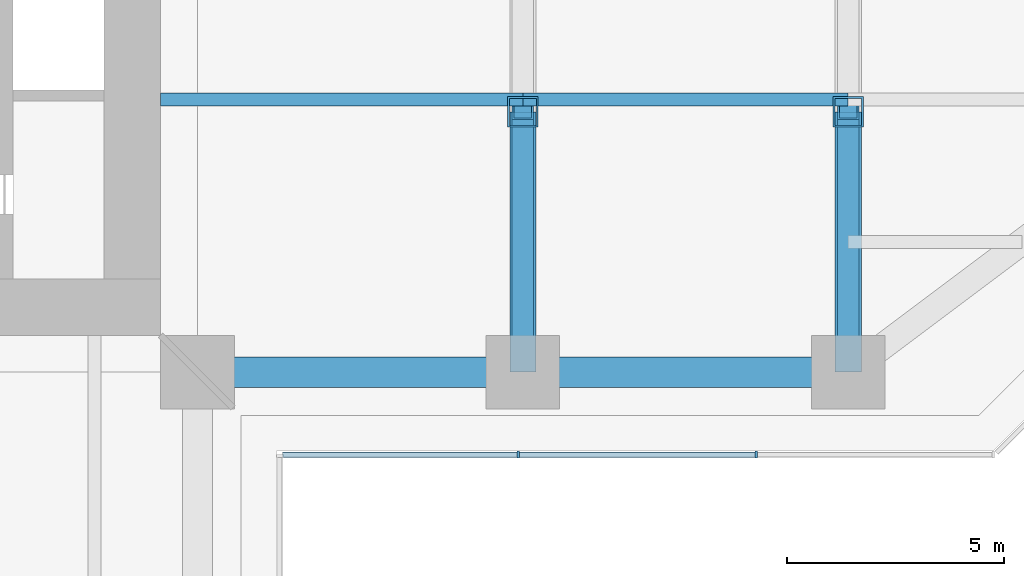
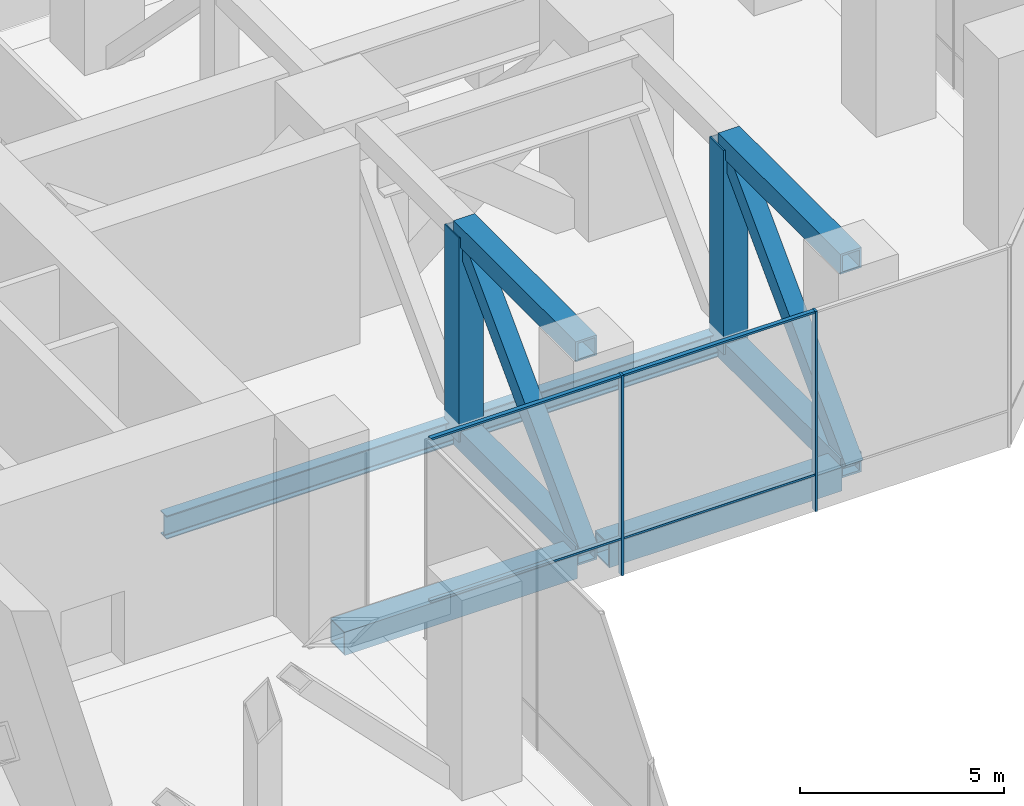
# One storey, part 5 of 19: 14 members, 4 beams, 1 element without a shape of its own.
"""IFC4 building model written with IfcOpenShell, lengths in metres."""

from ifc_helpers import new_model, si_unit, direction, frame, origin, origin_2d, place, context, subcontext, project, spatial, rectangle, hollow_rectangle, i_section, extrude, material, material_profile, profile_set, type_object, element, aggregate, save


model = new_model("IFC4")

# Units and contexts
model_context = context("Model", 3, precision=1e-05, world=origin(), true_north=direction((0.0, 1.0)))
body_context = subcontext(model_context, "Body", "Model", "MODEL_VIEW")
ifc_project = project(units=[si_unit("LENGTHUNIT", "METRE"), si_unit("AREAUNIT", "SQUARE_METRE"), si_unit("VOLUMEUNIT", "CUBIC_METRE"), si_unit("PLANEANGLEUNIT", "RADIAN"), si_unit("MASSUNIT", "GRAM", prefix="KILO")], contexts=[model_context])

# Site, building, storey
site_placement = place(None, origin())
site = spatial("IfcSite", under=ifc_project, at=site_placement, CompositionType="ELEMENT")
building_placement = place(site_placement, origin())
building = spatial("IfcBuilding", under=site, at=building_placement, Name="Mizan Broadcast Tower", CompositionType="ELEMENT")
storey_placement = place(building_placement, frame((0.0, 0.0, 37.5)))
storey = spatial("IfcBuildingStorey", under=building, at=storey_placement, Name="L06", CompositionType="ELEMENT", Elevation=37.5)

# Members
ifc_material_1 = material(Name="Steel S460", Category="steel")
ifc_material_profile_1 = material_profile(ifc_material_1, hollow_rectangle(XDim=0.60009765625, YDim=0.60009765625, WallThickness=0.06005859375, at=origin_2d()), Name="BOX 600x600x60")
ifc_profile_set_1 = profile_set([ifc_material_profile_1], Name="Steel S460")
member_type_1 = type_object("IfcMemberType", Name="BELT TRUSS BT1 CHORD BOX 600x600x60", PredefinedType="CHORD", material=ifc_profile_set_1)
for number, where, z_axis, x_axis, name in (
    (1, (19.5, -12.0, -0.550048828125), (0.0, 1.0, 0.0), (-1.0, 0.0, 0.0), "Belt truss BT1-E19 bottom chord 1"),
    (2, (19.5, -12.0, 5.570068359375), (0.0, 1.0, 0.0), (-1.0, 0.0, 0.0), "Belt truss BT1-E19 top chord 1"),
    (3, (27.0, -12.0, -0.550048828125), (0.0, 1.0, 0.0), (-1.0, 0.0, 0.0), "Belt truss BT1-E27 bottom chord 1"),
    (4, (27.0, -12.0, 5.570068359375), (0.0, 1.0, 0.0), (-1.0, 0.0, 0.0), "Belt truss BT1-E27 top chord 1"),
):
    element("IfcMember", number, at=place(storey_placement, frame(where, z_axis=z_axis, x_axis=x_axis)), inside=storey, type_object=member_type_1, Name=name, PredefinedType="CHORD", context=body_context, shape_type="SweptSolid", body=[
        extrude(hollow_rectangle(XDim=0.60009765625, YDim=0.60009765625, WallThickness=0.06005859375, at=origin_2d()), origin(), (0.0, 0.0, 1.0), 6.0),
    ])
ifc_material_2 = material(Name="Steel S460", Category="steel")
ifc_material_profile_2 = material_profile(ifc_material_2, hollow_rectangle(XDim=0.5, YDim=0.5, WallThickness=0.050048828125, at=origin_2d()), Name="BOX 500x500x50")
ifc_profile_set_2 = profile_set([ifc_material_profile_2], Name="Steel S460")
member_type_2 = type_object("IfcMemberType", Name="BELT TRUSS BT1 DIAGONAL BOX 500x500x50", PredefinedType="BRACE", material=ifc_profile_set_2)
for number, where, z_axis, x_axis, name in (
    (5, (19.5, -12.0, -0.550048828125), (0.0, 0.700064575666, 0.714079540316), (-1.0, 0.0, 0.0), "Belt truss BT1-E19 diagonal 1"),
    (6, (27.0, -12.0, -0.550048828125), (0.0, 0.700064575666, 0.714079540316), (-1.0, 0.0, 0.0), "Belt truss BT1-E27 diagonal 1"),
):
    element("IfcMember", number, at=place(storey_placement, frame(where, z_axis=z_axis, x_axis=x_axis)), inside=storey, type_object=member_type_2, Name=name, PredefinedType="BRACE", context=body_context, shape_type="SweptSolid", body=[
        extrude(hollow_rectangle(XDim=0.5, YDim=0.5, WallThickness=0.050048828125, at=origin_2d()), origin(), (0.0, 0.0, 1.0), 8.570556640625),
    ])
ifc_material_3 = material(Name="Steel S460", Category="steel")
ifc_material_profile_3 = material_profile(ifc_material_3, hollow_rectangle(XDim=0.699951171875, YDim=0.699951171875, WallThickness=0.0400390625, at=origin_2d()), Name="BOX 700x700x40")
ifc_profile_set_3 = profile_set([ifc_material_profile_3], Name="Steel S460")
member_type_3 = type_object("IfcMemberType", Name="BELT TRUSS BT1 POST BOX 700x700x40", PredefinedType="POST", material=ifc_profile_set_3)
for number, where, z_axis, x_axis, name in (
    (7, (19.5, -6.0, -0.550048828125), (0.0, 0.0, 1.0), (1.0, 0.0, 0.0), "Belt truss BT1-E19 post 1"),
    (8, (27.0, -6.0, -0.550048828125), (0.0, 0.0, 1.0), (1.0, 0.0, 0.0), "Belt truss BT1-E27 post 1"),
):
    element("IfcMember", number, at=place(storey_placement, frame(where, z_axis=z_axis, x_axis=x_axis)), inside=storey, type_object=member_type_3, Name=name, PredefinedType="POST", context=body_context, shape_type="SweptSolid", body=[
        extrude(hollow_rectangle(XDim=0.699951171875, YDim=0.699951171875, WallThickness=0.0400390625, at=origin_2d()), origin(), (0.0, 0.0, 1.0), 6.1201171875),
    ])

# Beams
ifc_material_4 = material(Name="Steel S355", Category="steel")
ifc_material_profile_4 = material_profile(ifc_material_4, hollow_rectangle(XDim=0.699951171875, YDim=0.699951171875, WallThickness=0.0400390625, at=origin_2d()), Name="BOX 700x700x40")
ifc_profile_set_4 = profile_set([ifc_material_profile_4], Name="Steel S355")
beam_type_1 = type_object("IfcBeamType", Name="EDGE BEAM BOX 700x700x40", PredefinedType="SPANDREL", material=ifc_profile_set_4)
for number, where, z_axis, x_axis, name in (
    (9, (12.449951171875, -12.0, -0.60009765625), (1.0, 0.0, 0.0), (0.0, 1.0, 0.0), "Edge beam BOX 700x700x40 L06 east arm"),
    (10, (19.949951171875, -12.0, -0.60009765625), (1.0, 0.0, 0.0), (0.0, 1.0, 0.0), "Edge beam BOX 700x700x40 L06 east arm"),
):
    element("IfcBeam", number, at=place(storey_placement, frame(where, z_axis=z_axis, x_axis=x_axis)), inside=storey, type_object=beam_type_1, Name=name, PredefinedType="SPANDREL", context=body_context, shape_type="SweptSolid", body=[
        extrude(hollow_rectangle(XDim=0.699951171875, YDim=0.699951171875, WallThickness=0.0400390625, at=origin_2d()), origin(), (0.0, 0.0, 1.0), 6.60009765625),
    ])

# Curtain wall, members
ifc_material_5 = material(Name="Aluminium framed glazing", Category="aluminium")
curtain_wall_type = type_object("IfcCurtainWallType", Name="PLANT LOUVRE", PredefinedType="USERDEFINED", material=ifc_material_5)
curtain_wall_placement = place(storey_placement, origin())
curtain_wall = element("IfcCurtainWall", 11, at=curtain_wall_placement, inside=storey, type_object=curtain_wall_type, Name="Plant louvre L06 E side", ObjectType="PLANT LOUVRE", PredefinedType="USERDEFINED")
ifc_material_6 = material(Name="Aluminium, pale anodised", Category="aluminium")
ifc_material_profile_5 = material_profile(ifc_material_6, rectangle(XDim=0.159912109375, YDim=0.06005859375, at=origin_2d()), Name="MULLION 160x60")
ifc_profile_set_5 = profile_set([ifc_material_profile_5], Name="Aluminium, pale anodised")
member_type_4 = type_object("IfcMemberType", Name="INNER SKIN MULLION 60x160", PredefinedType="MULLION", material=ifc_profile_set_5)
member_1_placement = place(storey_placement, frame((19.390869140625, -13.89990234375, 0.0), z_axis=(0.0, 0.0, 1.0), x_axis=(0.0, 1.0, 0.0)))
member_1 = element("IfcMember", 12, at=member_1_placement, type_object=member_type_4, Name="Plant louvre L06 E side mullion 2", PredefinedType="MULLION", context=body_context, shape_type="SweptSolid", body=[
    extrude(rectangle(XDim=0.159912109375, YDim=0.06005859375, at=origin_2d()), origin(), (0.0, 0.0, 1.0), 6.0),
])
member_2_placement = place(storey_placement, frame((24.8818359375, -13.89990234375, 0.0), z_axis=(0.0, 0.0, 1.0), x_axis=(0.0, 1.0, 0.0)))
member_2 = element("IfcMember", 13, at=member_2_placement, type_object=member_type_4, Name="Plant louvre L06 E side mullion 3", PredefinedType="MULLION", context=body_context, shape_type="SweptSolid", body=[
    extrude(rectangle(XDim=0.159912109375, YDim=0.06005859375, at=origin_2d()), origin(), (0.0, 0.0, 1.0), 6.0),
])
ifc_material_7 = material(Name="Aluminium, pale anodised", Category="aluminium")
ifc_material_profile_6 = material_profile(ifc_material_7, rectangle(XDim=0.1201171875, YDim=0.06005859375, at=origin_2d()), Name="TRANSOM 120x60")
ifc_profile_set_6 = profile_set([ifc_material_profile_6], Name="Aluminium, pale anodised")
member_type_5 = type_object("IfcMemberType", Name="INNER SKIN TRANSOM 60x120", PredefinedType="USERDEFINED", material=ifc_profile_set_6)
member_3_placement = place(storey_placement, frame((13.9599609375, -13.89990234375, 1.10009765625), z_axis=(1.0, 0.0, 0.0), x_axis=(0.0, 1.0, 0.0)))
member_3 = element("IfcMember", 14, at=member_3_placement, type_object=member_type_5, Name="Plant louvre L06 E side transom 1.1", ObjectType="TRANSOM", PredefinedType="USERDEFINED", context=body_context, shape_type="SweptSolid", body=[
    extrude(rectangle(XDim=0.1201171875, YDim=0.06005859375, at=origin_2d()), origin(), (0.0, 0.0, 1.0), 5.40087890625),
])
member_4_placement = place(storey_placement, frame((13.9599609375, -13.89990234375, 5.969970703125), z_axis=(1.0, 0.0, 0.0), x_axis=(0.0, 1.0, 0.0)))
member_4 = element("IfcMember", 15, at=member_4_placement, type_object=member_type_5, Name="Plant louvre L06 E side transom 1.2", ObjectType="TRANSOM", PredefinedType="USERDEFINED", context=body_context, shape_type="SweptSolid", body=[
    extrude(rectangle(XDim=0.1201171875, YDim=0.06005859375, at=origin_2d()), origin(), (0.0, 0.0, 1.0), 5.40087890625),
])
member_5_placement = place(storey_placement, frame((19.4208984375, -13.89990234375, 1.10009765625), z_axis=(1.0, 0.0, 0.0), x_axis=(0.0, 1.0, 0.0)))
member_5 = element("IfcMember", 16, at=member_5_placement, type_object=member_type_5, Name="Plant louvre L06 E side transom 2.1", ObjectType="TRANSOM", PredefinedType="USERDEFINED", context=body_context, shape_type="SweptSolid", body=[
    extrude(rectangle(XDim=0.1201171875, YDim=0.06005859375, at=origin_2d()), origin(), (0.0, 0.0, 1.0), 5.430908203125),
])
member_6_placement = place(storey_placement, frame((19.4208984375, -13.89990234375, 5.969970703125), z_axis=(1.0, 0.0, 0.0), x_axis=(0.0, 1.0, 0.0)))
member_6 = element("IfcMember", 17, at=member_6_placement, type_object=member_type_5, Name="Plant louvre L06 E side transom 2.2", ObjectType="TRANSOM", PredefinedType="USERDEFINED", context=body_context, shape_type="SweptSolid", body=[
    extrude(rectangle(XDim=0.1201171875, YDim=0.06005859375, at=origin_2d()), origin(), (0.0, 0.0, 1.0), 5.430908203125),
])
aggregate(curtain_wall, [member_1, member_2, member_3, member_4, member_5, member_6])

# Beams
ifc_material_8 = material(Name="Steel S355", Category="steel")
ifc_material_profile_7 = material_profile(ifc_material_8, i_section(OverallWidth=0.300048828125, OverallDepth=0.699951171875, WebThickness=0.01708984375, FlangeThickness=0.031982421875, FilletRadius=0.027099609375, at=origin_2d()), Name="HEB 700")
ifc_profile_set_7 = profile_set([ifc_material_profile_7], Name="Steel S355")
beam_type_2 = type_object("IfcBeamType", Name="SECONDARY BEAM HEB 700", PredefinedType="JOIST", material=ifc_profile_set_7)
beam_1_placement = place(storey_placement, frame((11.14990234375, -5.71435546875, -0.60009765625), z_axis=(1.0, 0.0, 0.0), x_axis=(0.0, 1.0, 0.0)))
element("IfcBeam", 18, at=beam_1_placement, inside=storey, type_object=beam_type_2, Name="Secondary beam HEB 700 L06 east arm", PredefinedType="JOIST", context=body_context, shape_type="SweptSolid", body=[
    extrude(i_section(OverallWidth=0.300048828125, OverallDepth=0.699951171875, WebThickness=0.01708984375, FlangeThickness=0.031982421875, FilletRadius=0.027099609375, at=origin_2d()), origin(), (0.0, 0.0, 1.0), 8.35009765625),
])
beam_2_placement = place(storey_placement, frame((19.5, -5.71435546875, -0.60009765625), z_axis=(1.0, 0.0, 0.0), x_axis=(0.0, 1.0, 0.0)))
element("IfcBeam", 19, at=beam_2_placement, inside=storey, type_object=beam_type_2, Name="Secondary beam HEB 700 L06 east arm", PredefinedType="JOIST", context=body_context, shape_type="SweptSolid", body=[
    extrude(i_section(OverallWidth=0.300048828125, OverallDepth=0.699951171875, WebThickness=0.01708984375, FlangeThickness=0.031982421875, FilletRadius=0.027099609375, at=origin_2d()), origin(), (0.0, 0.0, 1.0), 7.5),
])

save(model, "model.ifc")
